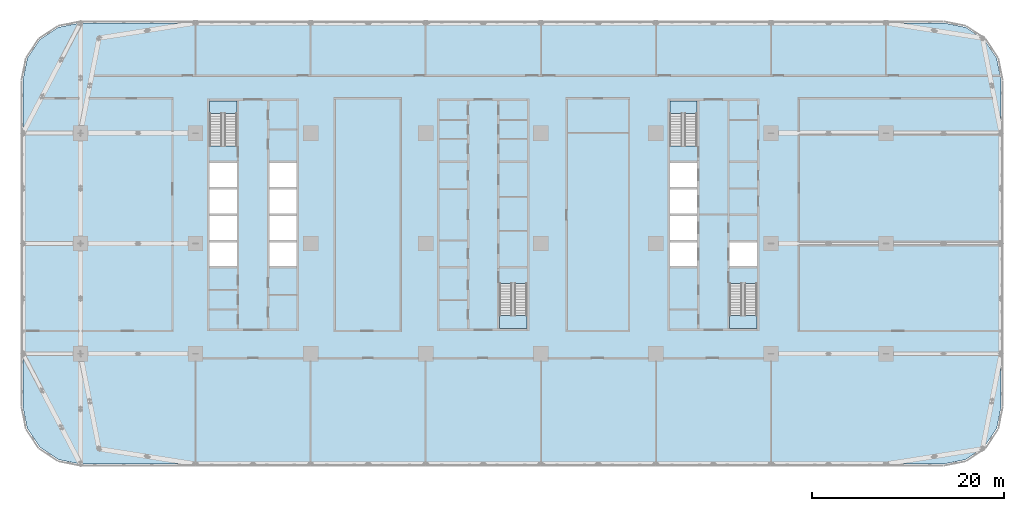
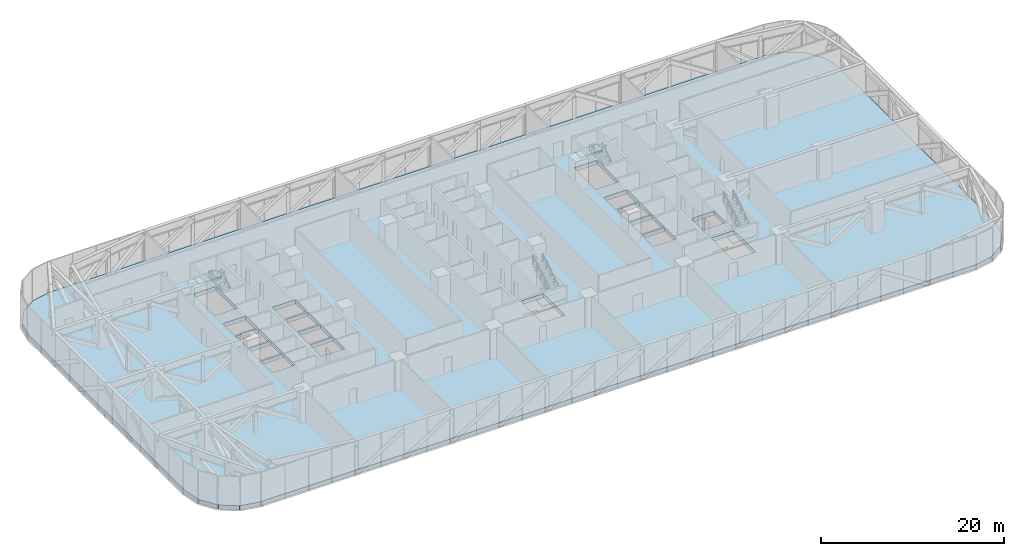
# One storey, part 7 of 25: 5 slabs, 4 elements without a shape of their own.
"""IFC4 building model written with IfcOpenShell, lengths in metres."""

from ifc_helpers import new_model, si_unit, direction, frame, origin, place, context, subcontext, project, spatial, polyline, outline, extrude, material, layer, layer_set, type_object, element, aggregate, save


model = new_model("IFC4")

# Units and contexts
model_context = context("Model", 3, precision=1e-05, world=origin(), true_north=direction((0.0, 1.0)))
body_context = subcontext(model_context, "Body", "Model", "MODEL_VIEW")
ifc_project = project(units=[si_unit("LENGTHUNIT", "METRE"), si_unit("AREAUNIT", "SQUARE_METRE"), si_unit("VOLUMEUNIT", "CUBIC_METRE"), si_unit("PLANEANGLEUNIT", "RADIAN"), si_unit("MASSUNIT", "GRAM", prefix="KILO")], contexts=[model_context])

# Site, building, storey
site_placement = place(None, origin())
site = spatial("IfcSite", under=ifc_project, at=site_placement, CompositionType="ELEMENT")
building_placement = place(site_placement, origin())
building = spatial("IfcBuilding", under=site, at=building_placement, Name="Mahtab Terrace Research Tower", CompositionType="ELEMENT")
storey_placement = place(building_placement, frame((0.0, 0.0, 41.60009765625)))
storey = spatial("IfcBuildingStorey", under=building, at=storey_placement, Name="L09", CompositionType="ELEMENT", Elevation=41.60009765625)

# Stair, slab
ifc_material_1 = material(Name="Exit stair half-turn")
stair_type = type_object("IfcStairType", Name="Exit stair half-turn", PredefinedType="HALF_TURN_STAIR", material=ifc_material_1)
stair_1_placement = place(storey_placement, origin())
stair_1 = element("IfcStair", 1, at=stair_1_placement, inside=storey, type_object=stair_type, Name="L09 Protected exit stair ST1", PredefinedType="HALF_TURN_STAIR")
ifc_material_2 = material(Name="Concrete C40/50", Category="concrete")
ifc_layer_1 = layer(ifc_material_2, 0.199951171875)
ifc_layer_set_1 = layer_set([ifc_layer_1], Name="Exit stair landing 200")
slab_type_1 = type_object("IfcSlabType", Name="Exit stair landing 200", PredefinedType="LANDING", material=ifc_layer_set_1)
slab_1_placement = place(storey_placement, frame((0.0, 0.0, 2.0)))
slab_1 = element("IfcSlab", 2, at=slab_1_placement, type_object=slab_type_1, Name="ST1 landing 1", PredefinedType="LANDING", context=body_context, shape_type="SweptSolid", body=[
    extrude(outline(polyline([(-25.699951171875, 13.534912109375), (-25.699951171875, 14.875), (-28.550048828125, 14.875), (-28.550048828125, 13.534912109375), (-25.699951171875, 13.534912109375)])), origin(), (0.0, 0.0, 1.0), 0.199951171875),
])
aggregate(stair_1, [slab_1])

stair_2_placement = place(storey_placement, origin())
stair_2 = element("IfcStair", 3, at=stair_2_placement, inside=storey, type_object=stair_type, Name="L09 Protected exit stair ST2", PredefinedType="HALF_TURN_STAIR")
slab_2_placement = place(storey_placement, frame((0.0, 0.0, 2.0)))
slab_2 = element("IfcSlab", 4, at=slab_2_placement, type_object=slab_type_1, Name="ST2 landing 1", PredefinedType="LANDING", context=body_context, shape_type="SweptSolid", body=[
    extrude(outline(polyline([(1.699951171875, -7.534912109375), (1.699951171875, -8.875), (4.550048828125, -8.875), (4.550048828125, -7.534912109375), (1.699951171875, -7.534912109375)])), origin(), (0.0, 0.0, 1.0), 0.199951171875),
])
aggregate(stair_2, [slab_2])

stair_3_placement = place(storey_placement, origin())
stair_3 = element("IfcStair", 5, at=stair_3_placement, inside=storey, type_object=stair_type, Name="L09 Protected exit stair ST3", PredefinedType="HALF_TURN_STAIR")
slab_3_placement = place(storey_placement, frame((0.0, 0.0, 2.0)))
slab_3 = element("IfcSlab", 6, at=slab_3_placement, type_object=slab_type_1, Name="ST3 landing 1", PredefinedType="LANDING", context=body_context, shape_type="SweptSolid", body=[
    extrude(outline(polyline([(22.300048828125, 13.534912109375), (22.300048828125, 14.875), (19.449951171875, 14.875), (19.449951171875, 13.534912109375), (22.300048828125, 13.534912109375)])), origin(), (0.0, 0.0, 1.0), 0.199951171875),
])
aggregate(stair_3, [slab_3])

stair_4_placement = place(storey_placement, origin())
stair_4 = element("IfcStair", 7, at=stair_4_placement, inside=storey, type_object=stair_type, Name="L09 Protected exit stair ST4", PredefinedType="HALF_TURN_STAIR")
slab_4_placement = place(storey_placement, frame((0.0, 0.0, 2.0)))
slab_4 = element("IfcSlab", 8, at=slab_4_placement, type_object=slab_type_1, Name="ST4 landing 1", PredefinedType="LANDING", context=body_context, shape_type="SweptSolid", body=[
    extrude(outline(polyline([(25.699951171875, -7.534912109375), (25.699951171875, -8.875), (28.550048828125, -8.875), (28.550048828125, -7.534912109375), (25.699951171875, -7.534912109375)])), origin(), (0.0, 0.0, 1.0), 0.199951171875),
])
aggregate(stair_4, [slab_4])

# Slab
ifc_layer_2 = layer(ifc_material_2, 0.550048828125)
ifc_layer_set_2 = layer_set([ifc_layer_2], Name="PT transfer slab 550")
slab_type_2 = type_object("IfcSlabType", Name="PT transfer slab 550", PredefinedType="FLOOR", material=ifc_layer_set_2)
slab_5_placement = place(storey_placement, frame((0.0, 0.0, -0.550048828125)))
element("IfcSlab", 9, at=slab_5_placement, inside=storey, type_object=slab_type_2, Name="Floor slab L09", PredefinedType="FLOOR", context=body_context, shape_type="SweptSolid", body=[
    extrude(outline(polyline([(42.0, -23.0), (48.0, -23.0), (50.2958984375, -22.54296875), (52.242919921875, -21.242919921875), (53.54296875, -19.2958984375), (54.0, -17.0), (54.0, 17.0), (53.54296875, 19.2958984375), (52.242919921875, 21.242919921875), (50.2958984375, 22.54296875), (48.0, 23.0), (42.0, 23.0), (-36.0, 23.0), (-42.0, 23.0), (-44.2958984375, 22.54296875), (-46.242919921875, 21.242919921875), (-47.54296875, 19.2958984375), (-48.0, 17.0), (-48.0, -17.0), (-47.54296875, -19.2958984375), (-46.242919921875, -21.242919921875), (-44.2958984375, -22.54296875), (-42.0, -23.0), (-36.0, -23.0), (42.0, -23.0)]), holes=[polyline([(-28.550048828125, -2.375), (-28.550048828125, 0.125), (-25.699951171875, 0.125), (-25.699951171875, -2.375), (-28.550048828125, -2.375)]), polyline([(-22.300048828125, -2.375), (-22.300048828125, 0.125), (-19.449951171875, 0.125), (-19.449951171875, -2.375), (-22.300048828125, -2.375)]), polyline([(-28.550048828125, 0.375), (-28.550048828125, 2.875), (-25.699951171875, 2.875), (-25.699951171875, 0.375), (-28.550048828125, 0.375)]), polyline([(-22.300048828125, 0.375), (-22.300048828125, 2.875), (-19.449951171875, 2.875), (-19.449951171875, 0.375), (-22.300048828125, 0.375)]), polyline([(-28.550048828125, 3.125), (-28.550048828125, 5.625), (-25.699951171875, 5.625), (-25.699951171875, 3.125), (-28.550048828125, 3.125)]), polyline([(-22.300048828125, 3.125), (-22.300048828125, 5.625), (-19.449951171875, 5.625), (-19.449951171875, 3.125), (-22.300048828125, 3.125)]), polyline([(-28.550048828125, 5.875), (-28.550048828125, 8.375), (-25.699951171875, 8.375), (-25.699951171875, 5.875), (-28.550048828125, 5.875)]), polyline([(-22.300048828125, 5.875), (-22.300048828125, 8.375), (-19.449951171875, 8.375), (-19.449951171875, 5.875), (-22.300048828125, 5.875)]), polyline([(-28.550048828125, 10.177001953125), (-28.550048828125, 14.875), (-25.699951171875, 14.875), (-25.699951171875, 10.177001953125), (-28.550048828125, 10.177001953125)]), polyline([(1.699951171875, -8.875), (1.699951171875, -4.177001953125), (4.550048828125, -4.177001953125), (4.550048828125, -8.875), (1.699951171875, -8.875)]), polyline([(25.699951171875, -8.875), (25.699951171875, -4.177001953125), (28.550048828125, -4.177001953125), (28.550048828125, -8.875), (25.699951171875, -8.875)]), polyline([(19.449951171875, -2.375), (19.449951171875, 0.125), (22.300048828125, 0.125), (22.300048828125, -2.375), (19.449951171875, -2.375)]), polyline([(25.699951171875, -2.375), (25.699951171875, 0.125), (28.550048828125, 0.125), (28.550048828125, -2.375), (25.699951171875, -2.375)]), polyline([(19.449951171875, 0.375), (19.449951171875, 2.875), (22.300048828125, 2.875), (22.300048828125, 0.375), (19.449951171875, 0.375)]), polyline([(19.449951171875, 3.125), (19.449951171875, 5.625), (22.300048828125, 5.625), (22.300048828125, 3.125), (19.449951171875, 3.125)]), polyline([(19.449951171875, 8.375), (22.300048828125, 8.375), (22.300048828125, 5.875), (19.449951171875, 5.875), (19.449951171875, 8.375)]), polyline([(19.449951171875, 14.875), (22.300048828125, 14.875), (22.300048828125, 10.177001953125), (19.449951171875, 10.177001953125), (19.449951171875, 14.875)])]), origin(), (0.0, 0.0, 1.0), 0.550048828125),
])

save(model, "model.ifc")
